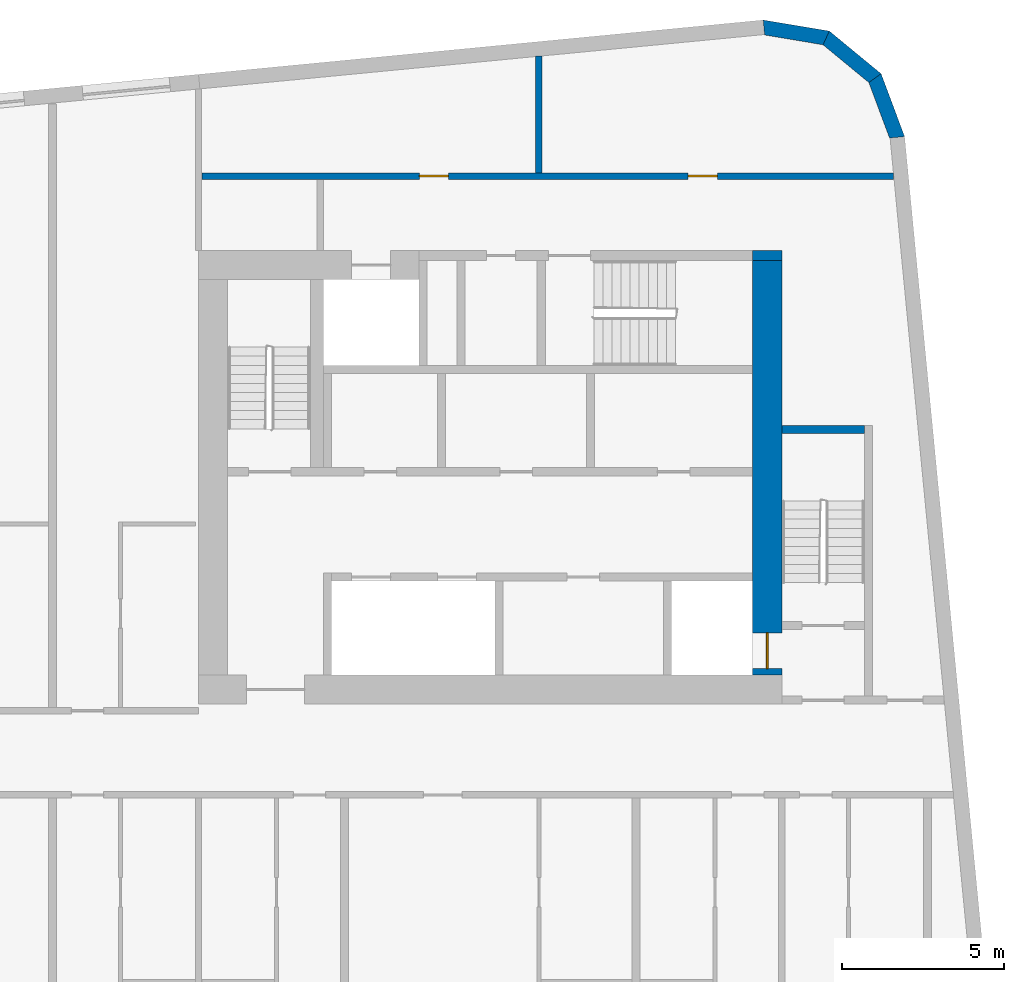
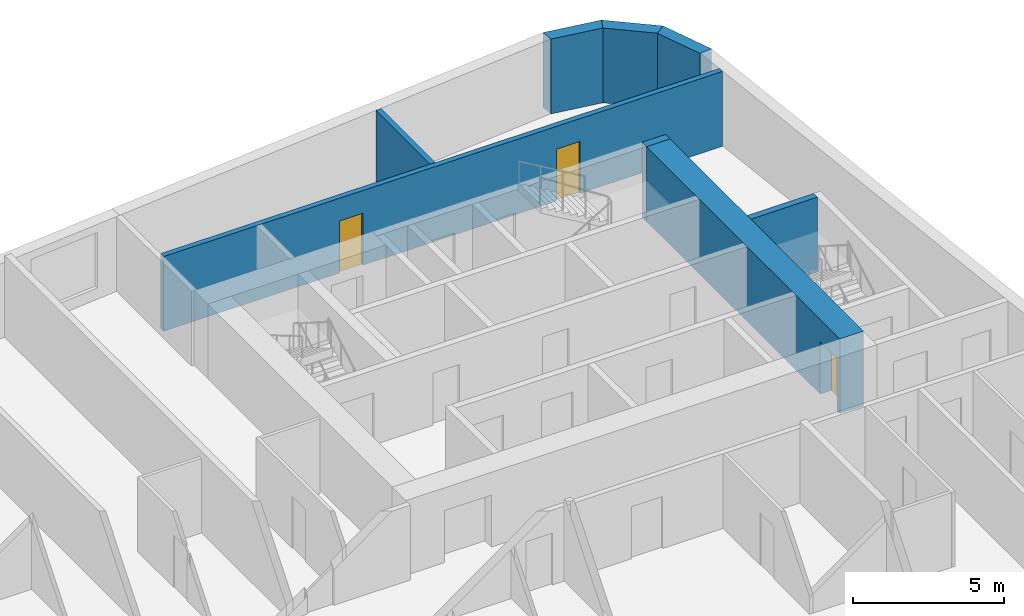
# One storey, part 8 of 12: 8 walls, 3 doors, 3 openings.
"""IFC4 building model written with IfcOpenShell, lengths in metres."""

from ifc_helpers import new_model, si_unit, direction, frame, frame_2d, origin, place, context, subcontext, project, spatial, polyline, rectangle, outline, extrude, material, layer, layer_set, type_object, element, fill, save


model = new_model("IFC4")

# Units and contexts
model_context = context("Model", 3, precision=1e-05, world=origin(), true_north=direction((0.0, 1.0)))
body_context = subcontext(model_context, "Body", "Model", "MODEL_VIEW")
ifc_project = project(units=[si_unit("LENGTHUNIT", "METRE"), si_unit("AREAUNIT", "SQUARE_METRE"), si_unit("VOLUMEUNIT", "CUBIC_METRE"), si_unit("PLANEANGLEUNIT", "RADIAN"), si_unit("MASSUNIT", "GRAM", prefix="KILO")], contexts=[model_context])

# Site, building, storey
site_placement = place(None, origin())
site = spatial("IfcSite", under=ifc_project, at=site_placement, CompositionType="ELEMENT")
building_placement = place(site_placement, origin())
building = spatial("IfcBuilding", under=site, at=building_placement, Name="Kajstack Hotel Tower", CompositionType="ELEMENT")
storey_placement = place(building_placement, frame((0.0, 0.0, 294.89990234375)))
storey = spatial("IfcBuildingStorey", under=building, at=storey_placement, Name="L74", CompositionType="ELEMENT", Elevation=294.89990234375)

# Wall
ifc_material_1 = material(Name="Concrete C60/75", Category="concrete")
ifc_layer_1 = layer(ifc_material_1, 0.89990234375)
ifc_layer_set_1 = layer_set([ifc_layer_1], Name="Core wall 900")
wall_type_1 = type_object("IfcWallType", Name="Core wall 900", PredefinedType="SHEAR", material=ifc_layer_set_1)
wall_1_placement = place(storey_placement, frame((30.60009765625, 15.35009765625, 0.0), z_axis=(0.0, 0.0, 1.0), x_axis=(1.0, 0.0, 0.0)))
element("IfcWall", 1, at=wall_1_placement, inside=storey, type_object=wall_type_1, Name="Core wall E RSW", PredefinedType="SHEAR", context=body_context, shape_type="SweptSolid", body=[
    extrude(rectangle(XDim=0.89990234375, YDim=0.300048828125, at=frame_2d((0.449951171875, 0.0))), origin(), (0.0, 0.0, 1.0), 3.02001953125),
])

# Wall, opening, door
wall_2_placement = place(storey_placement, frame((31.050048828125, 2.39990234375, 0.0), z_axis=(0.0, 0.0, 1.0), x_axis=(0.0, 1.0, 0.0)))
wall_2 = element("IfcWall", 2, at=wall_2_placement, inside=storey, type_object=wall_type_1, Name="Core wall E RW", PredefinedType="SHEAR", context=body_context, shape_type="SweptSolid", body=[
    extrude(rectangle(XDim=12.800048828125, YDim=0.89990234375, at=frame_2d((6.39990234375, 0.0))), origin(), (0.0, 0.0, 1.0), 3.02001953125),
])
opening_1_placement = place(wall_2_placement, frame((0.199951171875, 0.0, 0.0)))
opening_1 = element("IfcOpeningElement", 3, at=opening_1_placement, cuts=wall_2, Name="Opening LD-FF2", PredefinedType="OPENING", context=body_context, shape_type="SweptSolid", body=[
    extrude(rectangle(XDim=1.10009765625, YDim=2.10009765625, at=frame_2d((0.550048828125, 1.050048828125))), frame((0.0, 0.4599609375, 0.0), z_axis=(0.0, -1.0, 0.0), x_axis=(1.0, 0.0, 0.0)), (0.0, 0.0, 1.0), 0.919921875),
])
ifc_material_2 = material(Name="Stainless steel", Category="steel")
door_type_1 = type_object("IfcDoorType", Name="Fire-fighting lift landing door 1100", OperationType="SLIDING_TO_LEFT", PredefinedType="DOOR", material=ifc_material_2)
door_1_placement = place(opening_1_placement, origin())
door_1 = element("IfcDoor", 4, at=door_1_placement, inside=storey, type_object=door_type_1, Name="Landing door FF2", OperationType="SLIDING_TO_LEFT", OverallHeight=2.10009765625, OverallWidth=1.10009765625, PredefinedType="DOOR", context=body_context, shape_type="SweptSolid", body=[
    extrude(rectangle(XDim=1.10009765625, YDim=2.10009765625, at=frame_2d((0.550048828125, 1.050048828125))), frame((0.0, 0.02490234375, 0.0), z_axis=(0.0, -1.0, 0.0), x_axis=(1.0, 0.0, 0.0)), (0.0, 0.0, 1.0), 0.050048828125),
])
fill(opening_1, door_1)

# Walls
ifc_material_3 = material(Name="Terracotta-faced brick masonry", Category="masonry")
ifc_layer_2 = layer(ifc_material_3, 0.449951171875)
ifc_layer_set_2 = layer_set([ifc_layer_2], Name="EW-TERRA")
wall_type_2 = type_object("IfcWallType", Name="EW-TERRA", PredefinedType="SOLIDWALL", material=ifc_layer_set_2)
wall_3_placement = place(storey_placement, frame((35.078369140625, 18.9375, 0.0), z_axis=(0.0, 0.0, 1.0), x_axis=(-0.350192909346, 0.936677599948, 0.0)))
element("IfcWall", 5, at=wall_3_placement, inside=storey, type_object=wall_type_2, Name="E-wall-L74-09-00", PredefinedType="SOLIDWALL", context=body_context, shape_type="SweptSolid", body=[
    extrude(outline(polyline([(0.0, -0.22509765625), (2.070556640625, -0.22509765625), (1.949951171875, 0.224853515625), (0.12060546875, 0.224853515625), (0.0, -0.22509765625)])), origin(), (0.0, 0.0, 1.0), 3.02001953125),
])
wall_4_placement = place(storey_placement, frame((34.4208984375, 20.7822265625, 0.0), z_axis=(0.0, 0.0, 1.0), x_axis=(-0.771593176315, 0.636116318187, 0.0)))
element("IfcWall", 6, at=wall_4_placement, inside=storey, type_object=wall_type_2, Name="E-wall-L74-10-00", PredefinedType="SOLIDWALL", context=body_context, shape_type="SweptSolid", body=[
    extrude(outline(polyline([(0.0, -0.22509765625), (2.070556640625, -0.224853515625), (1.949951171875, 0.22509765625), (0.120361328125, 0.22509765625), (0.0, -0.22509765625)])), origin(), (0.0, 0.0, 1.0), 3.02001953125),
])
wall_5_placement = place(storey_placement, frame((32.92919921875, 22.051025390625, 0.0), z_axis=(0.0, 0.0, 1.0), x_axis=(-0.986298144721, 0.164972633245, 0.0)))
element("IfcWall", 7, at=wall_5_placement, inside=storey, type_object=wall_type_2, Name="E-wall-L74-11-00", PredefinedType="SOLIDWALL", context=body_context, shape_type="SweptSolid", body=[
    extrude(outline(polyline([(0.0, -0.224853515625), (2.0703125, -0.22509765625), (1.949951171875, 0.224853515625), (0.12060546875, 0.22509765625), (0.0, -0.224853515625)])), origin(), (0.0, 0.0, 1.0), 3.02001953125),
])

# Wall, openings, doors
ifc_material_4 = material(Name="Gypsum board on steel studs, mineral wool", Category="steel")
ifc_layer_3 = layer(ifc_material_4, 0.199951171875)
ifc_layer_set_3 = layer_set([ifc_layer_3], Name="Service partition 200")
wall_type_3 = type_object("IfcWallType", Name="Service partition 200", PredefinedType="PARTITIONING", material=ifc_layer_set_3)
wall_6_placement = place(storey_placement, frame((13.60009765625, 17.800048828125, 0.0), z_axis=(0.0, 0.0, 1.0), x_axis=(1.0, 0.0, 0.0)))
wall_6 = element("IfcWall", 8, at=wall_6_placement, inside=storey, type_object=wall_type_3, Name="Partition E SLN", PredefinedType="PARTITIONING", context=body_context, shape_type="SweptSolid", body=[
    extrude(rectangle(XDim=21.35400390625, YDim=0.199951171875, at=frame_2d((10.677001953125, 0.0))), origin(), (0.0, 0.0, 1.0), 3.02001953125),
])
opening_2_placement = place(wall_6_placement, frame((15.012451171875, 0.0, 0.0)))
opening_2 = element("IfcOpeningElement", 9, at=opening_2_placement, cuts=wall_6, Name="Opening 74E16", PredefinedType="OPENING", context=body_context, shape_type="SweptSolid", body=[
    extrude(rectangle(XDim=0.89990234375, YDim=2.10009765625, at=frame_2d((0.449951171875, 1.050048828125))), frame((0.0, 0.10986328125, 0.0), z_axis=(0.0, -1.0, 0.0), x_axis=(1.0, 0.0, 0.0)), (0.0, 0.0, 1.0), 0.219970703125),
])
opening_3_placement = place(wall_6_placement, frame((6.71240234375, 0.0, 0.0)))
opening_3 = element("IfcOpeningElement", 10, at=opening_3_placement, cuts=wall_6, Name="Opening 74E17", PredefinedType="OPENING", context=body_context, shape_type="SweptSolid", body=[
    extrude(rectangle(XDim=0.89990234375, YDim=2.10009765625, at=frame_2d((0.449951171875, 1.050048828125))), frame((0.0, 0.10986328125, 0.0), z_axis=(0.0, -1.0, 0.0), x_axis=(1.0, 0.0, 0.0)), (0.0, 0.0, 1.0), 0.219970703125),
])
ifc_material_5 = material(Name="Timber leaf, fire-rated", Category="wood")
door_type_2 = type_object("IfcDoorType", Name="Service door 900", OperationType="SINGLE_SWING_LEFT", PredefinedType="DOOR", material=ifc_material_5)
door_2_placement = place(opening_2_placement, origin())
door_2 = element("IfcDoor", 11, at=door_2_placement, inside=storey, type_object=door_type_2, Name="Door 74E16", OperationType="SINGLE_SWING_LEFT", OverallHeight=2.10009765625, OverallWidth=0.89990234375, PredefinedType="DOOR", context=body_context, shape_type="SweptSolid", body=[
    extrude(rectangle(XDim=0.89990234375, YDim=2.10009765625, at=frame_2d((0.449951171875, 1.050048828125))), frame((0.0, 0.02490234375, 0.0), z_axis=(0.0, -1.0, 0.0), x_axis=(1.0, 0.0, 0.0)), (0.0, 0.0, 1.0), 0.050048828125),
])
fill(opening_2, door_2)
door_3_placement = place(opening_3_placement, origin())
door_3 = element("IfcDoor", 12, at=door_3_placement, inside=storey, type_object=door_type_2, Name="Door 74E17", OperationType="SINGLE_SWING_LEFT", OverallHeight=2.10009765625, OverallWidth=0.89990234375, PredefinedType="DOOR", context=body_context, shape_type="SweptSolid", body=[
    extrude(rectangle(XDim=0.89990234375, YDim=2.10009765625, at=frame_2d((0.449951171875, 1.050048828125))), frame((0.0, 0.02490234375, 0.0), z_axis=(0.0, -1.0, 0.0), x_axis=(1.0, 0.0, 0.0)), (0.0, 0.0, 1.0), 0.050048828125),
])
fill(opening_3, door_3)

# Walls
wall_7_placement = place(storey_placement, frame((24.0, 17.89990234375, 0.0), z_axis=(0.0, 0.0, 1.0), x_axis=(0.0, 1.0, 0.0)))
element("IfcWall", 13, at=wall_7_placement, inside=storey, type_object=wall_type_3, Name="Partition E SLP0", PredefinedType="PARTITIONING", context=body_context, shape_type="SweptSolid", body=[
    extrude(rectangle(XDim=3.5966796875, YDim=0.199951171875, at=frame_2d((1.79833984375, 0.0))), origin(), (0.0, 0.0, 1.0), 3.02001953125),
])
ifc_material_6 = material(Name="Concrete C40/50", Category="concrete")
ifc_layer_4 = layer(ifc_material_6, 0.25)
ifc_layer_set_4 = layer_set([ifc_layer_4], Name="Stair enclosure wall 250")
wall_type_4 = type_object("IfcWallType", Name="Stair enclosure wall 250", PredefinedType="SHEAR", material=ifc_layer_set_4)
wall_8_placement = place(storey_placement, frame((31.5, 9.97509765625, 0.0), z_axis=(0.0, 0.0, 1.0), x_axis=(1.0, 0.0, 0.0)))
element("IfcWall", 14, at=wall_8_placement, inside=storey, type_object=wall_type_4, Name="Core wall E W1S", PredefinedType="SHEAR", context=body_context, shape_type="SweptSolid", body=[
    extrude(rectangle(XDim=2.550048828125, YDim=0.25, at=frame_2d((1.27490234375, 0.0))), origin(), (0.0, 0.0, 1.0), 3.02001953125),
])

save(model, "model.ifc")
